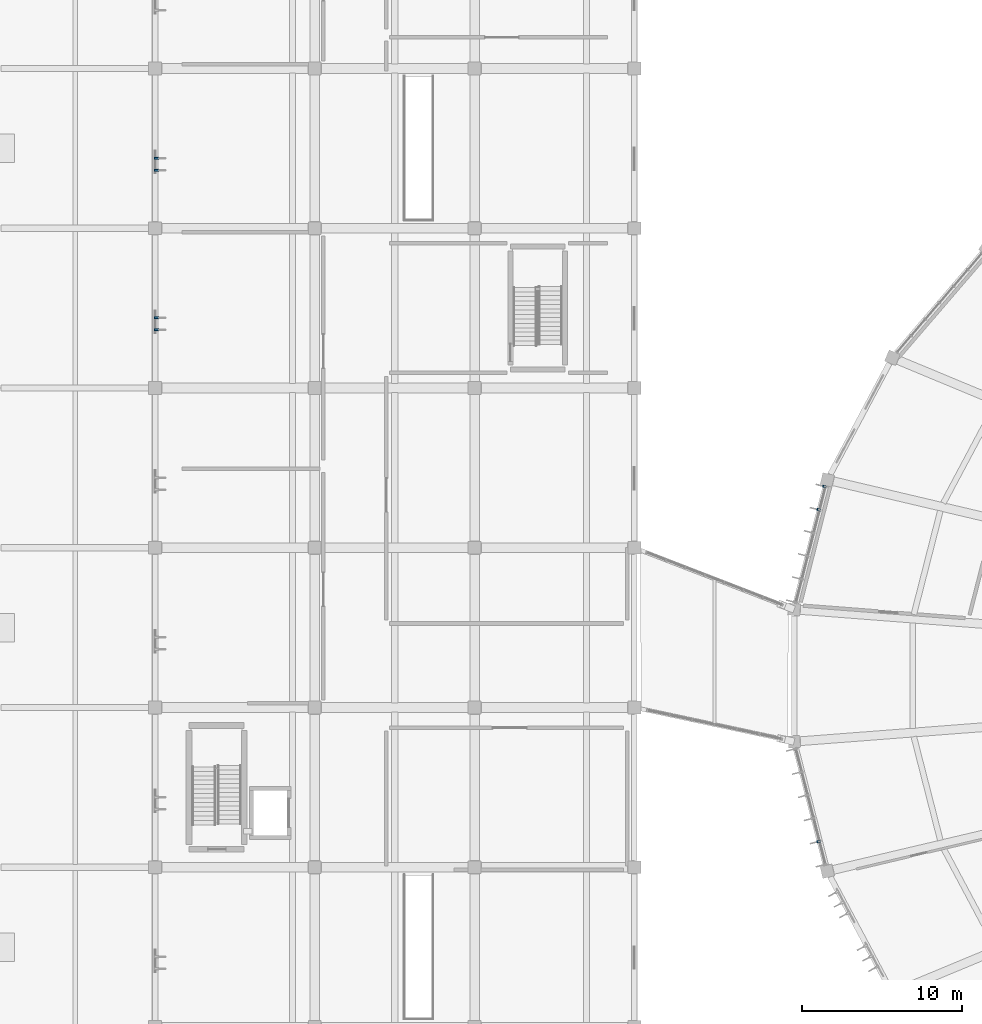
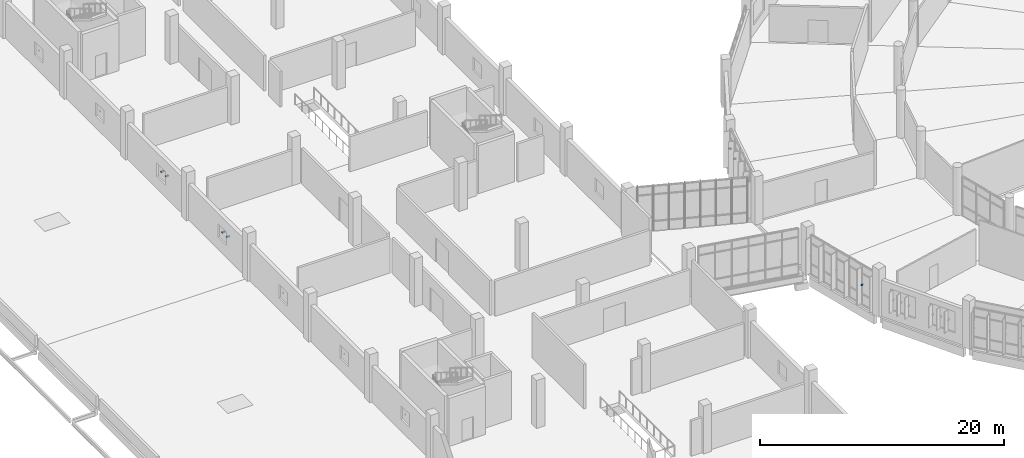
# One storey, part 137 of 179: 7 discrete accessories.
"""IFC4 building model written with IfcOpenShell, lengths in metres."""

from ifc_helpers import new_model, si_unit, direction, frame, origin, origin_2d, place, context, subcontext, project, spatial, rectangle, extrude, material, type_object, element, save


model = new_model("IFC4")

# Units and contexts
model_context = context("Model", 3, precision=1e-05, world=origin(), true_north=direction((0.0, 1.0)))
body_context = subcontext(model_context, "Body", "Model", "MODEL_VIEW")
ifc_project = project(units=[si_unit("LENGTHUNIT", "METRE"), si_unit("AREAUNIT", "SQUARE_METRE"), si_unit("VOLUMEUNIT", "CUBIC_METRE"), si_unit("PLANEANGLEUNIT", "RADIAN"), si_unit("MASSUNIT", "GRAM", prefix="KILO")], contexts=[model_context])

# Site, building, storey
site_placement = place(None, origin())
site = spatial("IfcSite", under=ifc_project, at=site_placement, CompositionType="ELEMENT")
building_placement = place(site_placement, origin())
building = spatial("IfcBuilding", under=site, at=building_placement, Name="Corvandel Quay Wholesale Market", CompositionType="ELEMENT")
storey_placement = place(building_placement, frame((0.0, 0.0, 6.0)))
storey = spatial("IfcBuildingStorey", under=building, at=storey_placement, Name="L01", CompositionType="ELEMENT", Elevation=6.0)

# Discrete accessories
ifc_material = material(Name="Austenitic stainless steel Grade 316", Category="steel")
discrete_accessory_type = type_object("IfcDiscreteAccessoryType", Name="Stainless Solar Fin Fixing Bracket BRK01", PredefinedType="USERDEFINED", material=ifc_material)
for number, where, z_axis, x_axis, name in (
    (1, (61.905517578125, 53.829833984375, 1.9052734375), (0.0, 0.0, 1.0), (-0.968843057437, 0.247675453076, 0.0), "Fin Bracket 0032"),
    (2, (61.534912109375, 52.381591796875, 1.9052734375), (0.0, 0.0, 1.0), (-0.968843057437, 0.247675453076, 0.0), "Fin Bracket 0033"),
    (3, (61.534912109375, 31.618408203125, 1.9052734375), (0.0, 0.0, 1.0), (0.968843057437, 0.247675453076, 0.0), "Fin Bracket 0044"),
):
    element("IfcDiscreteAccessory", number, at=place(storey_placement, frame(where, z_axis=z_axis, x_axis=x_axis)), inside=storey, type_object=discrete_accessory_type, Name=name, ObjectType="BRACKET", PredefinedType="USERDEFINED", context=body_context, shape_type="SweptSolid", body=[
        extrude(rectangle(XDim=0.239990234375, YDim=0.1201171875, at=origin_2d()), origin(), (0.0, 0.0, 1.0), 0.139892578125),
    ])
for number, where, z_axis, x_axis, name in (
    (4, (20.10009765625, 63.639892578125, 1.80517578125), (0.0, 0.0, 1.0), (1.0, 0.0, 0.0), "Fin Bracket 0706"),
    (5, (20.10009765625, 64.389892578125, 1.80517578125), (0.0, 0.0, 1.0), (1.0, 0.0, 0.0), "Fin Bracket 0707"),
    (6, (20.10009765625, 73.639892578125, 1.80517578125), (0.0, 0.0, 1.0), (1.0, 0.0, 0.0), "Fin Bracket 0711"),
    (7, (20.10009765625, 74.389892578125, 1.80517578125), (0.0, 0.0, 1.0), (1.0, 0.0, 0.0), "Fin Bracket 0712"),
):
    element("IfcDiscreteAccessory", number, at=place(storey_placement, frame(where, z_axis=z_axis, x_axis=x_axis)), inside=storey, type_object=discrete_accessory_type, Name=name, ObjectType="BRACKET", PredefinedType="USERDEFINED", context=body_context, shape_type="SweptSolid", body=[
        extrude(rectangle(XDim=0.280029296875, YDim=0.1201171875, at=origin_2d()), origin(), (0.0, 0.0, 1.0), 0.139892578125),
    ])

save(model, "model.ifc")
